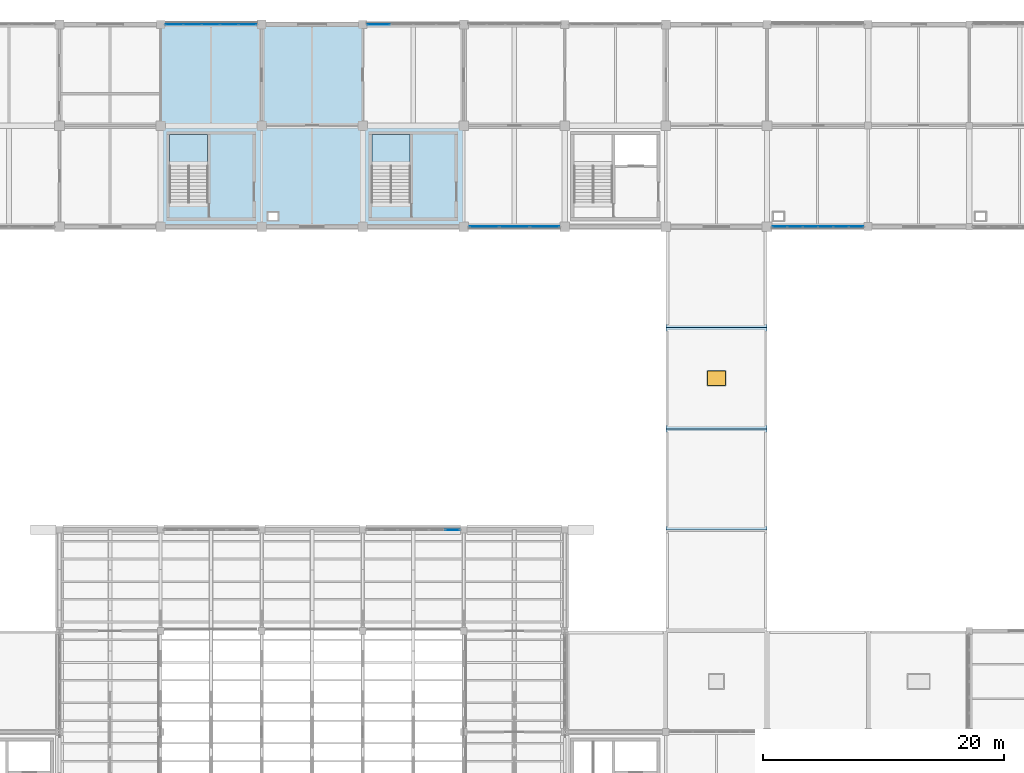
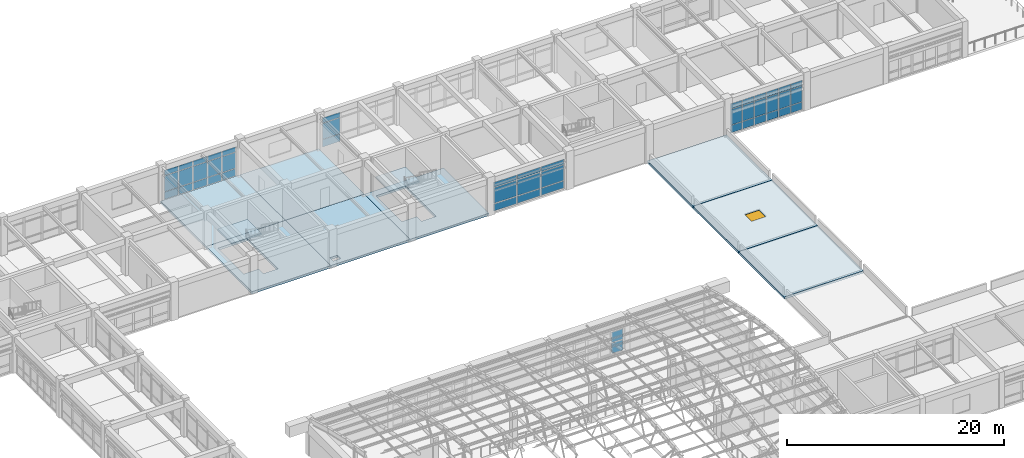
# One storey, part 55 of 74: 47 plates, 10 slabs, 1 window, 1 opening, 7 elements without a shape of their own.
"""IFC4 building model written with IfcOpenShell, lengths in metres."""

from ifc_helpers import new_model, si_unit, direction, frame, origin, origin_2d, place, context, subcontext, project, spatial, polyline, rectangle, outline, extrude, material, layer, layer_set, type_object, element, fill, aggregate, save


model = new_model("IFC4")

# Units and contexts
model_context = context("Model", 3, precision=1e-05, world=origin(), true_north=direction((0.0, 1.0)))
body_context = subcontext(model_context, "Body", "Model", "MODEL_VIEW")
ifc_project = project(units=[si_unit("LENGTHUNIT", "METRE"), si_unit("AREAUNIT", "SQUARE_METRE"), si_unit("VOLUMEUNIT", "CUBIC_METRE"), si_unit("PLANEANGLEUNIT", "RADIAN"), si_unit("MASSUNIT", "GRAM", prefix="KILO")], contexts=[model_context])

# Site, building, storey
site_placement = place(None, origin())
site = spatial("IfcSite", under=ifc_project, at=site_placement, CompositionType="ELEMENT")
building_placement = place(site_placement, origin())
building = spatial("IfcBuilding", under=site, at=building_placement, Name="Porcellanite Civic Hall", CompositionType="ELEMENT")
storey_placement = place(building_placement, frame((0.0, 0.0, 14.760009765625)))
storey = spatial("IfcBuildingStorey", under=building, at=storey_placement, Name="L03", CompositionType="ELEMENT", Elevation=14.760009765625)

# Curtain wall, plates
ifc_material_1 = material(Name="Anodised aluminium and solar laminated glass", Category="aluminium")
ifc_layer_1 = layer(ifc_material_1, 0.179931640625)
ifc_layer_set_1 = layer_set([ifc_layer_1], Name="Anodised aluminium and solar laminated glass")
curtain_wall_type_1 = type_object("IfcCurtainWallType", Name="CW-SYS01", PredefinedType="NOTDEFINED", material=ifc_layer_set_1)
curtain_wall_1_placement = place(storey_placement, origin())
curtain_wall_1 = element("IfcCurtainWall", 1, at=curtain_wall_1_placement, inside=storey, type_object=curtain_wall_type_1, Name="Curtain wall CW-211", PredefinedType="NOTDEFINED")
ifc_material_2 = material(Name="Cyclone laminated solar-control low-E glass", Category="glass")
ifc_layer_2 = layer(ifc_material_2, 0.02392578125)
ifc_layer_set_2 = layer_set([ifc_layer_2], Name="Cyclone laminated solar-control low-E glass")
plate_type_1 = type_object("IfcPlateType", Name="CWP-01", PredefinedType="CURTAIN_PANEL", material=ifc_layer_set_2)
plate_1_placement = place(storey_placement, frame((99.85009765625, 75.60009765625, 0.06982421875), z_axis=(0.0, 0.0, 1.0), x_axis=(1.0, 0.0, 0.0)))
plate_1 = element("IfcPlate", 2, at=plate_1_placement, type_object=plate_type_1, Name="CW-211 panel 6.1", PredefinedType="CURTAIN_PANEL", context=body_context, shape_type="SweptSolid", body=[
    extrude(rectangle(XDim=1.18798828125, YDim=0.02392578125, at=origin_2d()), origin(), (0.0, 0.0, 1.0), 1.155029296875),
])
plate_2_placement = place(storey_placement, frame((99.85009765625, 75.60009765625, 1.294921875), z_axis=(0.0, 0.0, 1.0), x_axis=(1.0, 0.0, 0.0)))
plate_2 = element("IfcPlate", 3, at=plate_2_placement, type_object=plate_type_1, Name="CW-211 panel 6.2", PredefinedType="CURTAIN_PANEL", context=body_context, shape_type="SweptSolid", body=[
    extrude(rectangle(XDim=1.18798828125, YDim=0.02392578125, at=origin_2d()), origin(), (0.0, 0.0, 1.0), 1.155029296875),
])
aggregate(curtain_wall_1, [plate_1, plate_2])

ifc_material_3 = material(Name="Anodised aluminium and solar laminated glass", Category="aluminium")
ifc_layer_3 = layer(ifc_material_3, 0.179931640625)
ifc_layer_set_3 = layer_set([ifc_layer_3], Name="Anodised aluminium and solar laminated glass")
curtain_wall_type_2 = type_object("IfcCurtainWallType", Name="CW-SYS06", PredefinedType="NOTDEFINED", material=ifc_layer_set_3)
curtain_wall_2_placement = place(storey_placement, origin())
curtain_wall_2 = element("IfcCurtainWall", 4, at=curtain_wall_2_placement, inside=storey, type_object=curtain_wall_type_2, Name="Curtain wall CW-212", PredefinedType="NOTDEFINED")
ifc_material_4 = material(Name="Cyclone laminated solar-control low-E glass", Category="glass")
ifc_layer_4 = layer(ifc_material_4, 0.028076171875)
ifc_layer_set_4 = layer_set([ifc_layer_4], Name="Cyclone laminated solar-control low-E glass")
plate_type_2 = type_object("IfcPlateType", Name="CWP-03", PredefinedType="CURTAIN_PANEL", material=ifc_layer_set_4)
plate_3_placement = place(storey_placement, frame((93.726318359375, 117.60009765625, 0.0498046875), z_axis=(0.0, 0.0, 1.0), x_axis=(1.0, 0.0, 0.0)))
plate_3 = element("IfcPlate", 5, at=plate_3_placement, type_object=plate_type_2, Name="CW-212 panel 1.1", PredefinedType="CURTAIN_PANEL", context=body_context, shape_type="SweptSolid", body=[
    extrude(rectangle(XDim=1.82080078125, YDim=0.028076171875, at=origin_2d()), origin(), (0.0, 0.0, 1.0), 0.824951171875),
])
plate_4_placement = place(storey_placement, frame((93.726318359375, 117.60009765625, 0.925048828125), z_axis=(0.0, 0.0, 1.0), x_axis=(1.0, 0.0, 0.0)))
plate_4 = element("IfcPlate", 6, at=plate_4_placement, type_object=plate_type_2, Name="CW-212 panel 1.2", PredefinedType="CURTAIN_PANEL", context=body_context, shape_type="SweptSolid", body=[
    extrude(rectangle(XDim=1.82080078125, YDim=0.028076171875, at=origin_2d()), origin(), (0.0, 0.0, 1.0), 1.77001953125),
])
plate_5_placement = place(storey_placement, frame((93.726318359375, 117.60009765625, 2.7451171875), z_axis=(0.0, 0.0, 1.0), x_axis=(1.0, 0.0, 0.0)))
plate_5 = element("IfcPlate", 7, at=plate_5_placement, type_object=plate_type_2, Name="CW-212 panel 1.3", PredefinedType="CURTAIN_PANEL", context=body_context, shape_type="SweptSolid", body=[
    extrude(rectangle(XDim=1.82080078125, YDim=0.028076171875, at=origin_2d()), origin(), (0.0, 0.0, 1.0), 0.574951171875),
])
aggregate(curtain_wall_2, [plate_3, plate_4, plate_5])

ifc_material_5 = material(Name="Anodised aluminium and solar laminated glass", Category="aluminium")
ifc_layer_5 = layer(ifc_material_5, 0.179931640625)
ifc_layer_set_5 = layer_set([ifc_layer_5], Name="Anodised aluminium and solar laminated glass")
curtain_wall_type_3 = type_object("IfcCurtainWallType", Name="CW-SYS08", PredefinedType="NOTDEFINED", material=ifc_layer_set_5)
curtain_wall_3_placement = place(storey_placement, origin())
curtain_wall_3 = element("IfcCurtainWall", 8, at=curtain_wall_3_placement, inside=storey, type_object=curtain_wall_type_3, Name="Curtain wall CW-214", PredefinedType="NOTDEFINED")
ifc_material_6 = material(Name="Cyclone laminated solar-control low-E glass", Category="glass")
ifc_layer_6 = layer(ifc_material_6, 0.031982421875)
ifc_layer_set_6 = layer_set([ifc_layer_6], Name="Cyclone laminated solar-control low-E glass")
plate_type_3 = type_object("IfcPlateType", Name="CWP-05", PredefinedType="CURTAIN_PANEL", material=ifc_layer_set_6)
plate_6_placement = place(storey_placement, frame((107.5126953125, 100.800048828125, 0.070068359375), z_axis=(0.0, 0.0, 1.0), x_axis=(-1.0, 0.0, 0.0)))
plate_6 = element("IfcPlate", 9, at=plate_6_placement, type_object=plate_type_3, Name="CW-214 panel 1.1", PredefinedType="CURTAIN_PANEL", context=body_context, shape_type="SweptSolid", body=[
    extrude(rectangle(XDim=2.41259765625, YDim=0.031982421875, at=origin_2d()), origin(), (0.0, 0.0, 1.0), 0.794921875),
])
plate_7_placement = place(storey_placement, frame((107.5126953125, 100.800048828125, 0.93505859375), z_axis=(0.0, 0.0, 1.0), x_axis=(-1.0, 0.0, 0.0)))
plate_7 = element("IfcPlate", 10, at=plate_7_placement, type_object=plate_type_3, Name="CW-214 panel 1.2", PredefinedType="CURTAIN_PANEL", context=body_context, shape_type="SweptSolid", body=[
    extrude(rectangle(XDim=2.41259765625, YDim=0.031982421875, at=origin_2d()), origin(), (0.0, 0.0, 1.0), 1.75),
])
plate_8_placement = place(storey_placement, frame((107.5126953125, 100.800048828125, 2.755126953125), z_axis=(0.0, 0.0, 1.0), x_axis=(-1.0, 0.0, 0.0)))
plate_8 = element("IfcPlate", 11, at=plate_8_placement, type_object=plate_type_3, Name="CW-214 panel 1.3", PredefinedType="CURTAIN_PANEL", context=body_context, shape_type="SweptSolid", body=[
    extrude(rectangle(XDim=2.41259765625, YDim=0.031982421875, at=origin_2d()), origin(), (0.0, 0.0, 1.0), 0.544921875),
])
plate_9_placement = place(storey_placement, frame((105.0, 100.800048828125, 0.070068359375), z_axis=(0.0, 0.0, 1.0), x_axis=(-1.0, 0.0, 0.0)))
plate_9 = element("IfcPlate", 12, at=plate_9_placement, type_object=plate_type_3, Name="CW-214 panel 2.1", PredefinedType="CURTAIN_PANEL", context=body_context, shape_type="SweptSolid", body=[
    extrude(rectangle(XDim=2.45263671875, YDim=0.031982421875, at=origin_2d()), origin(), (0.0, 0.0, 1.0), 0.794921875),
])
plate_10_placement = place(storey_placement, frame((105.0, 100.800048828125, 0.93505859375), z_axis=(0.0, 0.0, 1.0), x_axis=(-1.0, 0.0, 0.0)))
plate_10 = element("IfcPlate", 13, at=plate_10_placement, type_object=plate_type_3, Name="CW-214 panel 2.2", PredefinedType="CURTAIN_PANEL", context=body_context, shape_type="SweptSolid", body=[
    extrude(rectangle(XDim=2.45263671875, YDim=0.031982421875, at=origin_2d()), origin(), (0.0, 0.0, 1.0), 1.75),
])
plate_11_placement = place(storey_placement, frame((105.0, 100.800048828125, 2.755126953125), z_axis=(0.0, 0.0, 1.0), x_axis=(-1.0, 0.0, 0.0)))
plate_11 = element("IfcPlate", 14, at=plate_11_placement, type_object=plate_type_3, Name="CW-214 panel 2.3", PredefinedType="CURTAIN_PANEL", context=body_context, shape_type="SweptSolid", body=[
    extrude(rectangle(XDim=2.45263671875, YDim=0.031982421875, at=origin_2d()), origin(), (0.0, 0.0, 1.0), 0.544921875),
])
plate_12_placement = place(storey_placement, frame((102.4873046875, 100.800048828125, 0.070068359375), z_axis=(0.0, 0.0, 1.0), x_axis=(-1.0, 0.0, 0.0)))
plate_12 = element("IfcPlate", 15, at=plate_12_placement, type_object=plate_type_3, Name="CW-214 panel 3.1", PredefinedType="CURTAIN_PANEL", context=body_context, shape_type="SweptSolid", body=[
    extrude(rectangle(XDim=2.41259765625, YDim=0.031982421875, at=origin_2d()), origin(), (0.0, 0.0, 1.0), 0.794921875),
])
plate_13_placement = place(storey_placement, frame((102.4873046875, 100.800048828125, 0.93505859375), z_axis=(0.0, 0.0, 1.0), x_axis=(-1.0, 0.0, 0.0)))
plate_13 = element("IfcPlate", 16, at=plate_13_placement, type_object=plate_type_3, Name="CW-214 panel 3.2", PredefinedType="CURTAIN_PANEL", context=body_context, shape_type="SweptSolid", body=[
    extrude(rectangle(XDim=2.41259765625, YDim=0.031982421875, at=origin_2d()), origin(), (0.0, 0.0, 1.0), 1.75),
])
plate_14_placement = place(storey_placement, frame((102.4873046875, 100.800048828125, 2.755126953125), z_axis=(0.0, 0.0, 1.0), x_axis=(-1.0, 0.0, 0.0)))
plate_14 = element("IfcPlate", 17, at=plate_14_placement, type_object=plate_type_3, Name="CW-214 panel 3.3", PredefinedType="CURTAIN_PANEL", context=body_context, shape_type="SweptSolid", body=[
    extrude(rectangle(XDim=2.41259765625, YDim=0.031982421875, at=origin_2d()), origin(), (0.0, 0.0, 1.0), 0.544921875),
])
aggregate(curtain_wall_3, [plate_6, plate_7, plate_8, plate_9, plate_10, plate_11, plate_12, plate_13, plate_14])

curtain_wall_4_placement = place(storey_placement, origin())
curtain_wall_4 = element("IfcCurtainWall", 18, at=curtain_wall_4_placement, inside=storey, type_object=curtain_wall_type_1, Name="Curtain wall CW-209", PredefinedType="NOTDEFINED")
ifc_material_7 = material(Name="Insulated ochre aluminium spandrel panel", Category="aluminium")
ifc_layer_7 = layer(ifc_material_7, 0.0458984375)
ifc_layer_set_7 = layer_set([ifc_layer_7], Name="Insulated ochre aluminium spandrel panel")
plate_type_4 = type_object("IfcPlateType", Name="CWP-10", PredefinedType="CURTAIN_PANEL", material=ifc_layer_set_7)
plate_15_placement = place(storey_placement, frame((76.73583984375, 117.60009765625, 0.06005859375), z_axis=(0.0, 0.0, 1.0), x_axis=(1.0, 0.0, 0.0)))
plate_15 = element("IfcPlate", 19, at=plate_15_placement, type_object=plate_type_4, Name="CW-209 panel 1.1", PredefinedType="CURTAIN_PANEL", context=body_context, shape_type="SweptSolid", body=[
    extrude(rectangle(XDim=1.4296875, YDim=0.0458984375, at=origin_2d()), origin(), (0.0, 0.0, 1.0), 0.81005859375),
])
plate_16_placement = place(storey_placement, frame((76.73583984375, 117.60009765625, 0.93017578125), z_axis=(0.0, 0.0, 1.0), x_axis=(1.0, 0.0, 0.0)))
plate_16 = element("IfcPlate", 20, at=plate_16_placement, type_object=plate_type_4, Name="CW-209 panel 1.2", PredefinedType="CURTAIN_PANEL", context=body_context, shape_type="SweptSolid", body=[
    extrude(rectangle(XDim=1.4296875, YDim=0.0458984375, at=origin_2d()), origin(), (0.0, 0.0, 1.0), 1.760009765625),
])
plate_17_placement = place(storey_placement, frame((76.73583984375, 117.60009765625, 2.75), z_axis=(0.0, 0.0, 1.0), x_axis=(1.0, 0.0, 0.0)))
plate_17 = element("IfcPlate", 21, at=plate_17_placement, type_object=plate_type_4, Name="CW-209 panel 1.3", PredefinedType="CURTAIN_PANEL", context=body_context, shape_type="SweptSolid", body=[
    extrude(rectangle(XDim=1.4296875, YDim=0.0458984375, at=origin_2d()), origin(), (0.0, 0.0, 1.0), 0.56005859375),
])
plate_18_placement = place(storey_placement, frame((78.2529296875, 117.60009765625, 0.06005859375), z_axis=(0.0, 0.0, 1.0), x_axis=(1.0, 0.0, 0.0)))
plate_18 = element("IfcPlate", 22, at=plate_18_placement, type_object=plate_type_4, Name="CW-209 panel 2.1", PredefinedType="CURTAIN_PANEL", context=body_context, shape_type="SweptSolid", body=[
    extrude(rectangle(XDim=1.464599609375, YDim=0.0458984375, at=origin_2d()), origin(), (0.0, 0.0, 1.0), 0.81005859375),
])
plate_19_placement = place(storey_placement, frame((78.2529296875, 117.60009765625, 0.93017578125), z_axis=(0.0, 0.0, 1.0), x_axis=(1.0, 0.0, 0.0)))
plate_19 = element("IfcPlate", 23, at=plate_19_placement, type_object=plate_type_4, Name="CW-209 panel 2.2", PredefinedType="CURTAIN_PANEL", context=body_context, shape_type="SweptSolid", body=[
    extrude(rectangle(XDim=1.464599609375, YDim=0.0458984375, at=origin_2d()), origin(), (0.0, 0.0, 1.0), 1.760009765625),
])
plate_20_placement = place(storey_placement, frame((78.2529296875, 117.60009765625, 2.75), z_axis=(0.0, 0.0, 1.0), x_axis=(1.0, 0.0, 0.0)))
plate_20 = element("IfcPlate", 24, at=plate_20_placement, type_object=plate_type_4, Name="CW-209 panel 2.3", PredefinedType="CURTAIN_PANEL", context=body_context, shape_type="SweptSolid", body=[
    extrude(rectangle(XDim=1.464599609375, YDim=0.0458984375, at=origin_2d()), origin(), (0.0, 0.0, 1.0), 0.56005859375),
])
plate_21_placement = place(storey_placement, frame((79.78759765625, 117.60009765625, 0.06005859375), z_axis=(0.0, 0.0, 1.0), x_axis=(1.0, 0.0, 0.0)))
plate_21 = element("IfcPlate", 25, at=plate_21_placement, type_object=plate_type_4, Name="CW-209 panel 3.1", PredefinedType="CURTAIN_PANEL", context=body_context, shape_type="SweptSolid", body=[
    extrude(rectangle(XDim=1.464599609375, YDim=0.0458984375, at=origin_2d()), origin(), (0.0, 0.0, 1.0), 0.81005859375),
])
plate_22_placement = place(storey_placement, frame((79.78759765625, 117.60009765625, 0.93017578125), z_axis=(0.0, 0.0, 1.0), x_axis=(1.0, 0.0, 0.0)))
plate_22 = element("IfcPlate", 26, at=plate_22_placement, type_object=plate_type_4, Name="CW-209 panel 3.2", PredefinedType="CURTAIN_PANEL", context=body_context, shape_type="SweptSolid", body=[
    extrude(rectangle(XDim=1.464599609375, YDim=0.0458984375, at=origin_2d()), origin(), (0.0, 0.0, 1.0), 1.760009765625),
])
plate_23_placement = place(storey_placement, frame((79.78759765625, 117.60009765625, 2.75), z_axis=(0.0, 0.0, 1.0), x_axis=(1.0, 0.0, 0.0)))
plate_23 = element("IfcPlate", 27, at=plate_23_placement, type_object=plate_type_4, Name="CW-209 panel 3.3", PredefinedType="CURTAIN_PANEL", context=body_context, shape_type="SweptSolid", body=[
    extrude(rectangle(XDim=1.464599609375, YDim=0.0458984375, at=origin_2d()), origin(), (0.0, 0.0, 1.0), 0.56005859375),
])
plate_24_placement = place(storey_placement, frame((81.322021484375, 117.60009765625, 0.06005859375), z_axis=(0.0, 0.0, 1.0), x_axis=(1.0, 0.0, 0.0)))
plate_24 = element("IfcPlate", 28, at=plate_24_placement, type_object=plate_type_4, Name="CW-209 panel 4.1", PredefinedType="CURTAIN_PANEL", context=body_context, shape_type="SweptSolid", body=[
    extrude(rectangle(XDim=1.464599609375, YDim=0.0458984375, at=origin_2d()), origin(), (0.0, 0.0, 1.0), 0.81005859375),
])
plate_25_placement = place(storey_placement, frame((81.322021484375, 117.60009765625, 0.93017578125), z_axis=(0.0, 0.0, 1.0), x_axis=(1.0, 0.0, 0.0)))
plate_25 = element("IfcPlate", 29, at=plate_25_placement, type_object=plate_type_4, Name="CW-209 panel 4.2", PredefinedType="CURTAIN_PANEL", context=body_context, shape_type="SweptSolid", body=[
    extrude(rectangle(XDim=1.464599609375, YDim=0.0458984375, at=origin_2d()), origin(), (0.0, 0.0, 1.0), 1.760009765625),
])
plate_26_placement = place(storey_placement, frame((81.322021484375, 117.60009765625, 2.75), z_axis=(0.0, 0.0, 1.0), x_axis=(1.0, 0.0, 0.0)))
plate_26 = element("IfcPlate", 30, at=plate_26_placement, type_object=plate_type_4, Name="CW-209 panel 4.3", PredefinedType="CURTAIN_PANEL", context=body_context, shape_type="SweptSolid", body=[
    extrude(rectangle(XDim=1.464599609375, YDim=0.0458984375, at=origin_2d()), origin(), (0.0, 0.0, 1.0), 0.56005859375),
])
plate_27_placement = place(storey_placement, frame((82.839111328125, 117.60009765625, 0.06005859375), z_axis=(0.0, 0.0, 1.0), x_axis=(1.0, 0.0, 0.0)))
plate_27 = element("IfcPlate", 31, at=plate_27_placement, type_object=plate_type_4, Name="CW-209 panel 5.1", PredefinedType="CURTAIN_PANEL", context=body_context, shape_type="SweptSolid", body=[
    extrude(rectangle(XDim=1.4296875, YDim=0.0458984375, at=origin_2d()), origin(), (0.0, 0.0, 1.0), 0.81005859375),
])
plate_28_placement = place(storey_placement, frame((82.839111328125, 117.60009765625, 0.93017578125), z_axis=(0.0, 0.0, 1.0), x_axis=(1.0, 0.0, 0.0)))
plate_28 = element("IfcPlate", 32, at=plate_28_placement, type_object=plate_type_4, Name="CW-209 panel 5.2", PredefinedType="CURTAIN_PANEL", context=body_context, shape_type="SweptSolid", body=[
    extrude(rectangle(XDim=1.4296875, YDim=0.0458984375, at=origin_2d()), origin(), (0.0, 0.0, 1.0), 1.760009765625),
])
plate_29_placement = place(storey_placement, frame((82.839111328125, 117.60009765625, 2.75), z_axis=(0.0, 0.0, 1.0), x_axis=(1.0, 0.0, 0.0)))
plate_29 = element("IfcPlate", 33, at=plate_29_placement, type_object=plate_type_4, Name="CW-209 panel 5.3", PredefinedType="CURTAIN_PANEL", context=body_context, shape_type="SweptSolid", body=[
    extrude(rectangle(XDim=1.4296875, YDim=0.0458984375, at=origin_2d()), origin(), (0.0, 0.0, 1.0), 0.56005859375),
])
aggregate(curtain_wall_4, [plate_15, plate_16, plate_17, plate_18, plate_19, plate_20, plate_21, plate_22, plate_23, plate_24, plate_25, plate_26, plate_27, plate_28, plate_29])

ifc_material_8 = material(Name="Anodised aluminium and solar laminated glass", Category="aluminium")
ifc_layer_8 = layer(ifc_material_8, 0.179931640625)
ifc_layer_set_8 = layer_set([ifc_layer_8], Name="Anodised aluminium and solar laminated glass")
curtain_wall_type_4 = type_object("IfcCurtainWallType", Name="CW-SYS07", PredefinedType="NOTDEFINED", material=ifc_layer_set_8)
curtain_wall_5_placement = place(storey_placement, origin())
curtain_wall_5 = element("IfcCurtainWall", 34, at=curtain_wall_5_placement, inside=storey, type_object=curtain_wall_type_4, Name="Curtain wall CW-219", PredefinedType="NOTDEFINED")
plate_30_placement = place(storey_placement, frame((133.419677734375, 100.800048828125, 0.0498046875), z_axis=(0.0, 0.0, 1.0), x_axis=(-1.0, 0.0, 0.0)))
plate_30 = element("IfcPlate", 35, at=plate_30_placement, type_object=plate_type_4, Name="CW-219 panel 1.1", PredefinedType="CURTAIN_PANEL", context=body_context, shape_type="SweptSolid", body=[
    extrude(rectangle(XDim=1.188720703125, YDim=0.0458984375, at=origin_2d()), origin(), (0.0, 0.0, 1.0), 0.824951171875),
])
plate_31_placement = place(storey_placement, frame((133.419677734375, 100.800048828125, 0.925048828125), z_axis=(0.0, 0.0, 1.0), x_axis=(-1.0, 0.0, 0.0)))
plate_31 = element("IfcPlate", 36, at=plate_31_placement, type_object=plate_type_4, Name="CW-219 panel 1.2", PredefinedType="CURTAIN_PANEL", context=body_context, shape_type="SweptSolid", body=[
    extrude(rectangle(XDim=1.188720703125, YDim=0.0458984375, at=origin_2d()), origin(), (0.0, 0.0, 1.0), 1.77001953125),
])
plate_32_placement = place(storey_placement, frame((133.419677734375, 100.800048828125, 2.7451171875), z_axis=(0.0, 0.0, 1.0), x_axis=(-1.0, 0.0, 0.0)))
plate_32 = element("IfcPlate", 37, at=plate_32_placement, type_object=plate_type_4, Name="CW-219 panel 1.3", PredefinedType="CURTAIN_PANEL", context=body_context, shape_type="SweptSolid", body=[
    extrude(rectangle(XDim=1.188720703125, YDim=0.0458984375, at=origin_2d()), origin(), (0.0, 0.0, 1.0), 0.574951171875),
])
plate_33_placement = place(storey_placement, frame((132.15576171875, 100.800048828125, 0.0498046875), z_axis=(0.0, 0.0, 1.0), x_axis=(-1.0, 0.0, 0.0)))
plate_33 = element("IfcPlate", 38, at=plate_33_placement, type_object=plate_type_4, Name="CW-219 panel 2.1", PredefinedType="CURTAIN_PANEL", context=body_context, shape_type="SweptSolid", body=[
    extrude(rectangle(XDim=1.21875, YDim=0.0458984375, at=origin_2d()), origin(), (0.0, 0.0, 1.0), 0.824951171875),
])
plate_34_placement = place(storey_placement, frame((132.15576171875, 100.800048828125, 0.925048828125), z_axis=(0.0, 0.0, 1.0), x_axis=(-1.0, 0.0, 0.0)))
plate_34 = element("IfcPlate", 39, at=plate_34_placement, type_object=plate_type_4, Name="CW-219 panel 2.2", PredefinedType="CURTAIN_PANEL", context=body_context, shape_type="SweptSolid", body=[
    extrude(rectangle(XDim=1.21875, YDim=0.0458984375, at=origin_2d()), origin(), (0.0, 0.0, 1.0), 1.77001953125),
])
plate_35_placement = place(storey_placement, frame((132.15576171875, 100.800048828125, 2.7451171875), z_axis=(0.0, 0.0, 1.0), x_axis=(-1.0, 0.0, 0.0)))
plate_35 = element("IfcPlate", 40, at=plate_35_placement, type_object=plate_type_4, Name="CW-219 panel 2.3", PredefinedType="CURTAIN_PANEL", context=body_context, shape_type="SweptSolid", body=[
    extrude(rectangle(XDim=1.21875, YDim=0.0458984375, at=origin_2d()), origin(), (0.0, 0.0, 1.0), 0.574951171875),
])
plate_36_placement = place(storey_placement, frame((130.876953125, 100.800048828125, 0.0498046875), z_axis=(0.0, 0.0, 1.0), x_axis=(-1.0, 0.0, 0.0)))
plate_36 = element("IfcPlate", 41, at=plate_36_placement, type_object=plate_type_4, Name="CW-219 panel 3.1", PredefinedType="CURTAIN_PANEL", context=body_context, shape_type="SweptSolid", body=[
    extrude(rectangle(XDim=1.21875, YDim=0.0458984375, at=origin_2d()), origin(), (0.0, 0.0, 1.0), 0.824951171875),
])
plate_37_placement = place(storey_placement, frame((130.876953125, 100.800048828125, 0.925048828125), z_axis=(0.0, 0.0, 1.0), x_axis=(-1.0, 0.0, 0.0)))
plate_37 = element("IfcPlate", 42, at=plate_37_placement, type_object=plate_type_4, Name="CW-219 panel 3.2", PredefinedType="CURTAIN_PANEL", context=body_context, shape_type="SweptSolid", body=[
    extrude(rectangle(XDim=1.21875, YDim=0.0458984375, at=origin_2d()), origin(), (0.0, 0.0, 1.0), 1.77001953125),
])
plate_38_placement = place(storey_placement, frame((130.876953125, 100.800048828125, 2.7451171875), z_axis=(0.0, 0.0, 1.0), x_axis=(-1.0, 0.0, 0.0)))
plate_38 = element("IfcPlate", 43, at=plate_38_placement, type_object=plate_type_4, Name="CW-219 panel 3.3", PredefinedType="CURTAIN_PANEL", context=body_context, shape_type="SweptSolid", body=[
    extrude(rectangle(XDim=1.21875, YDim=0.0458984375, at=origin_2d()), origin(), (0.0, 0.0, 1.0), 0.574951171875),
])
plate_39_placement = place(storey_placement, frame((129.59814453125, 100.800048828125, 0.0498046875), z_axis=(0.0, 0.0, 1.0), x_axis=(-1.0, 0.0, 0.0)))
plate_39 = element("IfcPlate", 44, at=plate_39_placement, type_object=plate_type_4, Name="CW-219 panel 4.1", PredefinedType="CURTAIN_PANEL", context=body_context, shape_type="SweptSolid", body=[
    extrude(rectangle(XDim=1.21875, YDim=0.0458984375, at=origin_2d()), origin(), (0.0, 0.0, 1.0), 0.824951171875),
])
plate_40_placement = place(storey_placement, frame((129.59814453125, 100.800048828125, 0.925048828125), z_axis=(0.0, 0.0, 1.0), x_axis=(-1.0, 0.0, 0.0)))
plate_40 = element("IfcPlate", 45, at=plate_40_placement, type_object=plate_type_4, Name="CW-219 panel 4.2", PredefinedType="CURTAIN_PANEL", context=body_context, shape_type="SweptSolid", body=[
    extrude(rectangle(XDim=1.21875, YDim=0.0458984375, at=origin_2d()), origin(), (0.0, 0.0, 1.0), 1.77001953125),
])
plate_41_placement = place(storey_placement, frame((129.59814453125, 100.800048828125, 2.7451171875), z_axis=(0.0, 0.0, 1.0), x_axis=(-1.0, 0.0, 0.0)))
plate_41 = element("IfcPlate", 46, at=plate_41_placement, type_object=plate_type_4, Name="CW-219 panel 4.3", PredefinedType="CURTAIN_PANEL", context=body_context, shape_type="SweptSolid", body=[
    extrude(rectangle(XDim=1.21875, YDim=0.0458984375, at=origin_2d()), origin(), (0.0, 0.0, 1.0), 0.574951171875),
])
plate_42_placement = place(storey_placement, frame((128.3193359375, 100.800048828125, 0.0498046875), z_axis=(0.0, 0.0, 1.0), x_axis=(-1.0, 0.0, 0.0)))
plate_42 = element("IfcPlate", 47, at=plate_42_placement, type_object=plate_type_4, Name="CW-219 panel 5.1", PredefinedType="CURTAIN_PANEL", context=body_context, shape_type="SweptSolid", body=[
    extrude(rectangle(XDim=1.21875, YDim=0.0458984375, at=origin_2d()), origin(), (0.0, 0.0, 1.0), 0.824951171875),
])
plate_43_placement = place(storey_placement, frame((128.3193359375, 100.800048828125, 0.925048828125), z_axis=(0.0, 0.0, 1.0), x_axis=(-1.0, 0.0, 0.0)))
plate_43 = element("IfcPlate", 48, at=plate_43_placement, type_object=plate_type_4, Name="CW-219 panel 5.2", PredefinedType="CURTAIN_PANEL", context=body_context, shape_type="SweptSolid", body=[
    extrude(rectangle(XDim=1.21875, YDim=0.0458984375, at=origin_2d()), origin(), (0.0, 0.0, 1.0), 1.77001953125),
])
plate_44_placement = place(storey_placement, frame((128.3193359375, 100.800048828125, 2.7451171875), z_axis=(0.0, 0.0, 1.0), x_axis=(-1.0, 0.0, 0.0)))
plate_44 = element("IfcPlate", 49, at=plate_44_placement, type_object=plate_type_4, Name="CW-219 panel 5.3", PredefinedType="CURTAIN_PANEL", context=body_context, shape_type="SweptSolid", body=[
    extrude(rectangle(XDim=1.21875, YDim=0.0458984375, at=origin_2d()), origin(), (0.0, 0.0, 1.0), 0.574951171875),
])
plate_45_placement = place(storey_placement, frame((127.055419921875, 100.800048828125, 0.0498046875), z_axis=(0.0, 0.0, 1.0), x_axis=(-1.0, 0.0, 0.0)))
plate_45 = element("IfcPlate", 50, at=plate_45_placement, type_object=plate_type_4, Name="CW-219 panel 6.1", PredefinedType="CURTAIN_PANEL", context=body_context, shape_type="SweptSolid", body=[
    extrude(rectangle(XDim=1.188720703125, YDim=0.0458984375, at=origin_2d()), origin(), (0.0, 0.0, 1.0), 0.824951171875),
])
plate_46_placement = place(storey_placement, frame((127.055419921875, 100.800048828125, 0.925048828125), z_axis=(0.0, 0.0, 1.0), x_axis=(-1.0, 0.0, 0.0)))
plate_46 = element("IfcPlate", 51, at=plate_46_placement, type_object=plate_type_4, Name="CW-219 panel 6.2", PredefinedType="CURTAIN_PANEL", context=body_context, shape_type="SweptSolid", body=[
    extrude(rectangle(XDim=1.188720703125, YDim=0.0458984375, at=origin_2d()), origin(), (0.0, 0.0, 1.0), 1.77001953125),
])
plate_47_placement = place(storey_placement, frame((127.055419921875, 100.800048828125, 2.7451171875), z_axis=(0.0, 0.0, 1.0), x_axis=(-1.0, 0.0, 0.0)))
plate_47 = element("IfcPlate", 52, at=plate_47_placement, type_object=plate_type_4, Name="CW-219 panel 6.3", PredefinedType="CURTAIN_PANEL", context=body_context, shape_type="SweptSolid", body=[
    extrude(rectangle(XDim=1.188720703125, YDim=0.0458984375, at=origin_2d()), origin(), (0.0, 0.0, 1.0), 0.574951171875),
])
aggregate(curtain_wall_5, [plate_30, plate_31, plate_32, plate_33, plate_34, plate_35, plate_36, plate_37, plate_38, plate_39, plate_40, plate_41, plate_42, plate_43, plate_44, plate_45, plate_46, plate_47])

# Stair, slab
ifc_material_9 = material(Name="Concrete N40 (40 MPa)", Category="concrete")
stair_type = type_object("IfcStairType", Name="STR-HT24", PredefinedType="HALF_TURN_STAIR", material=ifc_material_9)
stair_1_placement = place(storey_placement, origin())
stair_1 = element("IfcStair", 53, at=stair_1_placement, inside=storey, type_object=stair_type, Name="Fire stair ST-09 L03", PredefinedType="HALF_TURN_STAIR")
ifc_material_10 = material(Name="Concrete N40 (40 MPa)", Category="concrete")
ifc_layer_9 = layer(ifc_material_10, 0.179931640625)
ifc_layer_set_9 = layer_set([ifc_layer_9], Name="Concrete N40 (40 MPa)")
slab_type_1 = type_object("IfcSlabType", Name="LND-18", PredefinedType="LANDING", material=ifc_layer_set_9)
slab_1_placement = place(storey_placement, frame((0.0, 0.0, 1.97998046875)))
slab_1 = element("IfcSlab", 54, at=slab_1_placement, type_object=slab_type_1, Name="ST-09 landing 1", PredefinedType="LANDING", context=body_context, shape_type="SweptSolid", body=[
    extrude(outline(polyline([(76.360595703125, 105.824951171875), (79.51953125, 105.824951171875), (79.51953125, 108.439453125), (76.360595703125, 108.439453125), (76.360595703125, 105.824951171875)])), origin(), (0.0, 0.0, 1.0), 0.179931640625),
])
aggregate(stair_1, [slab_1])

stair_2_placement = place(storey_placement, origin())
stair_2 = element("IfcStair", 55, at=stair_2_placement, inside=storey, type_object=stair_type, Name="Fire stair ST-10 L03", PredefinedType="HALF_TURN_STAIR")
slab_2_placement = place(storey_placement, frame((0.0, 0.0, 1.97998046875)))
slab_2 = element("IfcSlab", 56, at=slab_2_placement, type_object=slab_type_1, Name="ST-10 landing 1", PredefinedType="LANDING", context=body_context, shape_type="SweptSolid", body=[
    extrude(outline(polyline([(93.160400390625, 105.824951171875), (96.319580078125, 105.824951171875), (96.319580078125, 108.439453125), (93.160400390625, 108.439453125), (93.160400390625, 105.824951171875)])), origin(), (0.0, 0.0, 1.0), 0.179931640625),
])
aggregate(stair_2, [slab_2])

# Slabs
ifc_material_11 = material(Name="Concrete N40 (40 MPa)", Category="concrete")
ifc_layer_10 = layer(ifc_material_11, 0.25)
ifc_layer_set_10 = layer_set([ifc_layer_10], Name="Concrete N40 (40 MPa)")
slab_type_2 = type_object("IfcSlabType", Name="SL-FL250", PredefinedType="FLOOR", material=ifc_layer_set_10)
slab_3_placement = place(storey_placement, frame((0.0, 0.0, -0.25)))
element("IfcSlab", 57, at=slab_3_placement, inside=storey, type_object=slab_type_2, Name="Slab L03 bay 10-14", PredefinedType="FLOOR", context=body_context, shape_type="SweptSolid", body=[
    extrude(outline(polyline([(75.60009765625, 109.199951171875), (84.0, 109.199951171875), (84.0, 117.60009765625), (75.60009765625, 117.60009765625), (75.60009765625, 109.199951171875)])), origin(), (0.0, 0.0, 1.0), 0.25),
])
slab_4_placement = place(storey_placement, frame((0.0, 0.0, -0.25)))
element("IfcSlab", 58, at=slab_4_placement, inside=storey, type_object=slab_type_2, Name="Slab L03 bay 11-13", PredefinedType="FLOOR", context=body_context, shape_type="SweptSolid", body=[
    extrude(outline(polyline([(84.0, 100.800048828125), (92.39990234375, 100.800048828125), (92.39990234375, 109.199951171875), (84.0, 109.199951171875), (84.0, 100.800048828125)]), holes=[polyline([(84.550048828125, 101.35009765625), (85.35009765625, 101.35009765625), (85.35009765625, 101.949951171875), (84.550048828125, 101.949951171875), (84.550048828125, 101.35009765625)])]), origin(), (0.0, 0.0, 1.0), 0.25),
])
slab_5_placement = place(storey_placement, frame((0.0, 0.0, -0.25)))
element("IfcSlab", 59, at=slab_5_placement, inside=storey, type_object=slab_type_2, Name="Slab L03 bay 11-14", PredefinedType="FLOOR", context=body_context, shape_type="SweptSolid", body=[
    extrude(outline(polyline([(84.0, 109.199951171875), (92.39990234375, 109.199951171875), (92.39990234375, 117.60009765625), (84.0, 117.60009765625), (84.0, 109.199951171875)])), origin(), (0.0, 0.0, 1.0), 0.25),
])
slab_6_placement = place(storey_placement, frame((0.0, 0.0, -0.25)))
element("IfcSlab", 60, at=slab_6_placement, inside=storey, type_object=slab_type_2, Name="Slab L03 bay 12-13", PredefinedType="FLOOR", context=body_context, shape_type="SweptSolid", body=[
    extrude(outline(polyline([(92.39990234375, 100.800048828125), (100.800048828125, 100.800048828125), (100.800048828125, 109.199951171875), (92.39990234375, 109.199951171875), (92.39990234375, 100.800048828125)]), holes=[polyline([(93.179931640625, 103.64990234375), (94.760009765625, 103.64990234375), (94.760009765625, 102.800048828125), (96.320068359375, 102.800048828125), (96.320068359375, 108.419921875), (93.179931640625, 108.419921875), (93.179931640625, 103.64990234375)])]), origin(), (0.0, 0.0, 1.0), 0.25),
])
ifc_material_12 = material(Name="Concrete N40 (40 MPa)", Category="concrete")
ifc_layer_11 = layer(ifc_material_12, 0.260009765625)
ifc_layer_set_11 = layer_set([ifc_layer_11], Name="Concrete N40 (40 MPa)")
slab_type_3 = type_object("IfcSlabType", Name="SL-FL260", PredefinedType="FLOOR", material=ifc_layer_set_11)
slab_7_placement = place(storey_placement, frame((0.0, 0.0, -0.260009765625)))
element("IfcSlab", 61, at=slab_7_placement, inside=storey, type_object=slab_type_3, Name="Slab L03 bay 10-13", PredefinedType="FLOOR", context=body_context, shape_type="SweptSolid", body=[
    extrude(outline(polyline([(75.60009765625, 100.800048828125), (84.0, 100.800048828125), (84.0, 109.199951171875), (75.60009765625, 109.199951171875), (75.60009765625, 100.800048828125)]), holes=[polyline([(76.3798828125, 103.64990234375), (77.9599609375, 103.64990234375), (77.9599609375, 102.800048828125), (79.52001953125, 102.800048828125), (79.52001953125, 108.419921875), (76.3798828125, 108.419921875), (76.3798828125, 103.64990234375)])]), origin(), (0.0, 0.0, 1.0), 0.260009765625),
])
ifc_material_13 = material(Name="Concrete N40 (40 MPa)", Category="concrete")
ifc_layer_12 = layer(ifc_material_13, 0.260009765625)
ifc_layer_set_12 = layer_set([ifc_layer_12], Name="Concrete N40 (40 MPa)")
slab_type_4 = type_object("IfcSlabType", Name="SL-RF260", PredefinedType="ROOF", material=ifc_layer_set_12)
slab_8_placement = place(storey_placement, frame((0.0, 0.0, -0.260009765625)))
element("IfcSlab", 62, at=slab_8_placement, inside=storey, type_object=slab_type_4, Name="Roof slab L03 15-10", PredefinedType="ROOF", context=body_context, shape_type="SweptSolid", body=[
    extrude(outline(polyline([(117.60009765625, 75.60009765625), (126.0, 75.60009765625), (126.0, 84.0), (117.60009765625, 84.0), (117.60009765625, 75.60009765625)])), origin(), (0.0, 0.0, 1.0), 0.260009765625),
])

# Slab, opening, window
slab_9_placement = place(storey_placement, frame((0.0, 0.0, -0.260009765625)))
slab_9 = element("IfcSlab", 63, at=slab_9_placement, inside=storey, type_object=slab_type_4, Name="Roof slab L03 15-11", PredefinedType="ROOF", context=body_context, shape_type="SweptSolid", body=[
    extrude(outline(polyline([(117.60009765625, 84.0), (126.0, 84.0), (126.0, 92.39990234375), (117.60009765625, 92.39990234375), (117.60009765625, 84.0)])), origin(), (0.0, 0.0, 1.0), 0.260009765625),
])
opening_placement = place(slab_9_placement, frame((121.800048828125, 88.199951171875, 0.0)))
opening = element("IfcOpeningElement", 64, at=opening_placement, cuts=slab_9, Name="Opening SK2", PredefinedType="OPENING", context=body_context, shape_type="SweptSolid", body=[
    extrude(rectangle(XDim=1.5, YDim=1.199951171875, at=origin_2d()), origin(), (0.0, 0.0, 1.0), 0.260009765625),
])
ifc_material_14 = material(Name="Cyclone laminated low-E glazing in anodised aluminium frame", Category="aluminium")
window_type = type_object("IfcWindowType", Name="SK-02", PartitioningType="SINGLE_PANEL", PredefinedType="SKYLIGHT", material=ifc_material_14)
window_placement = place(opening_placement, frame((0.0, 0.0, 0.2099609375)))
window = element("IfcWindow", 65, at=window_placement, inside=storey, type_object=window_type, Name="Roof skylight SK2 L03 15-11", OverallHeight=1.199951171875, OverallWidth=1.5, PartitioningType="SINGLE_PANEL", PredefinedType="SKYLIGHT", context=body_context, shape_type="SweptSolid", body=[
    extrude(rectangle(XDim=1.5, YDim=1.199951171875, at=origin_2d()), origin(), (0.0, 0.0, 1.0), 0.050048828125),
])
fill(opening, window)

# Slab
slab_10_placement = place(storey_placement, frame((0.0, 0.0, -0.260009765625)))
element("IfcSlab", 66, at=slab_10_placement, inside=storey, type_object=slab_type_4, Name="Roof slab L03 15-12", PredefinedType="ROOF", context=body_context, shape_type="SweptSolid", body=[
    extrude(outline(polyline([(117.60009765625, 92.39990234375), (126.0, 92.39990234375), (126.0, 100.800048828125), (117.60009765625, 100.800048828125), (117.60009765625, 92.39990234375)])), origin(), (0.0, 0.0, 1.0), 0.260009765625),
])

save(model, "model.ifc")
